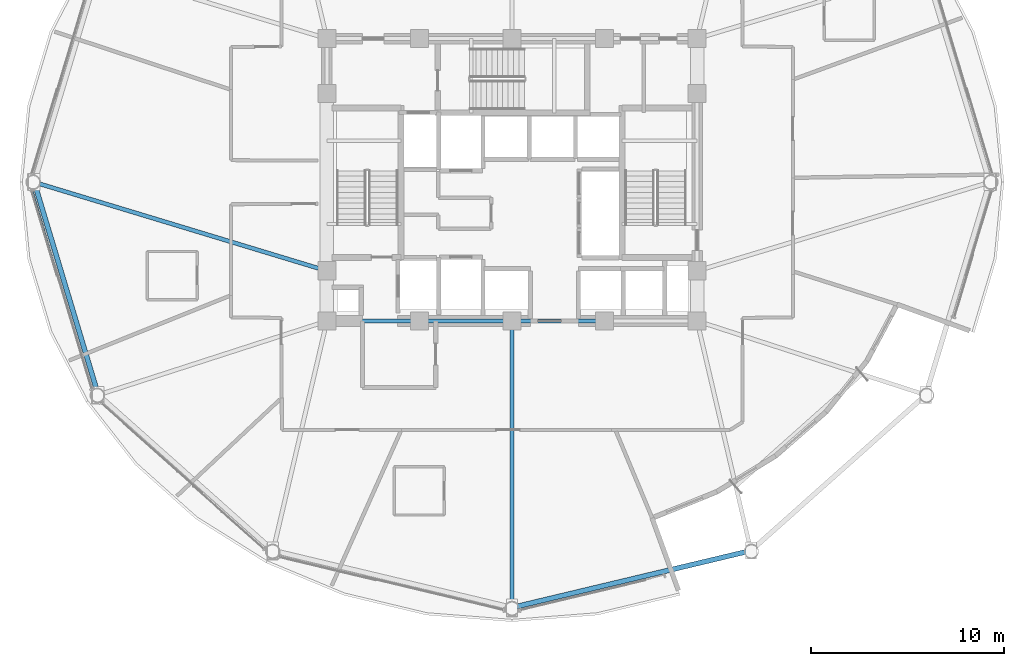
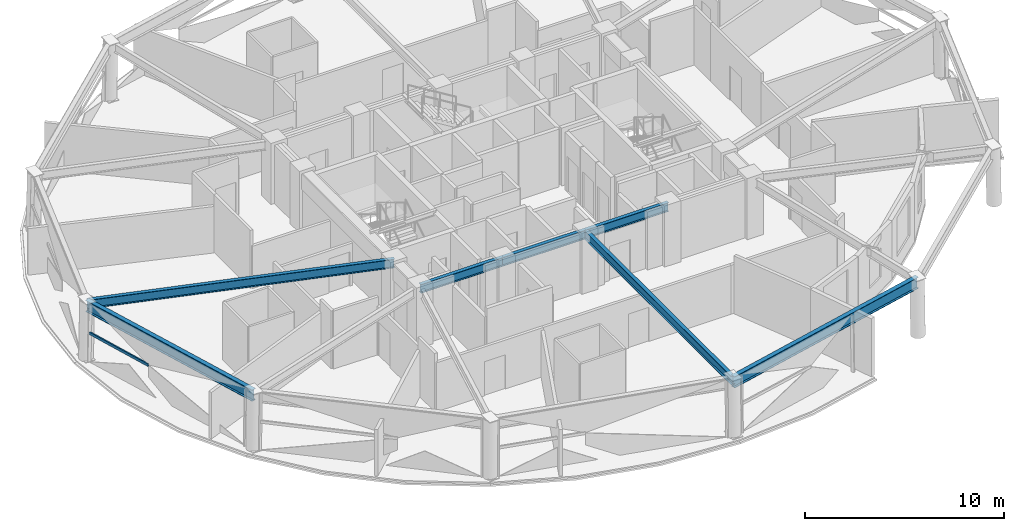
# One storey, part 3 of 16: 7 beams, 1 member, 1 element without a shape of its own.
"""IFC4 building model written with IfcOpenShell, lengths in metres."""

from ifc_helpers import new_model, si_unit, direction, frame, origin, origin_2d, place, context, subcontext, project, spatial, hollow_rectangle, i_section, extrude, material, layer, layer_set, material_profile, profile_set, type_object, element, aggregate, save


model = new_model("IFC4")

# Units and contexts
model_context = context("Model", 3, precision=1e-05, world=origin(), true_north=direction((0.0, 1.0)))
body_context = subcontext(model_context, "Body", "Model", "MODEL_VIEW")
ifc_project = project(units=[si_unit("LENGTHUNIT", "METRE"), si_unit("AREAUNIT", "SQUARE_METRE"), si_unit("VOLUMEUNIT", "CUBIC_METRE"), si_unit("PLANEANGLEUNIT", "RADIAN"), si_unit("MASSUNIT", "GRAM", prefix="KILO")], contexts=[model_context])

# Site, building, storey
site_placement = place(None, origin())
site = spatial("IfcSite", under=ifc_project, at=site_placement, CompositionType="ELEMENT")
building_placement = place(site_placement, origin())
building = spatial("IfcBuilding", under=site, at=building_placement, Name="Vantalir Tower", CompositionType="ELEMENT")
storey_placement = place(building_placement, frame((0.0, 0.0, 145.949951171875)))
storey = spatial("IfcBuildingStorey", under=building, at=storey_placement, Name="L36", CompositionType="ELEMENT", Elevation=145.949951171875)

# Beams
ifc_material_1 = material(Name="Steel S355", Category="steel")
ifc_material_profile_1 = material_profile(ifc_material_1, i_section(OverallWidth=0.2109375, OverallDepth=0.5390625, WebThickness=0.01171875, FlangeThickness=0.018798828125, at=origin_2d()), Name="Steel S355")
ifc_profile_set_1 = profile_set([ifc_material_profile_1], Name="Steel S355")
beam_type_1 = type_object("IfcBeamType", Name="BM-RB-533x210", PredefinedType="BEAM", material=ifc_profile_set_1)
for number, where, z_axis, x_axis, name in (
    (1, (21.89990234375, 17.800048828125, 3.301025390625), (1.0, 0.0, 0.0), (0.0, 1.0, 0.0), "L36 Core Coupling Girder 01"),
    (2, (26.699951171875, 17.800048828125, 3.301025390625), (1.0, 0.0, 0.0), (0.0, 1.0, 0.0), "L36 Core Coupling Girder 02"),
    (3, (31.5, 17.800048828125, 3.301025390625), (1.0, 0.0, 0.0), (0.0, 1.0, 0.0), "L36 Core Coupling Girder 03"),
):
    element("IfcBeam", number, at=place(storey_placement, frame(where, z_axis=z_axis, x_axis=x_axis)), inside=storey, type_object=beam_type_1, Name=name, PredefinedType="BEAM", context=body_context, shape_type="SweptSolid", body=[
        extrude(i_section(OverallWidth=0.2109375, OverallDepth=0.5390625, WebThickness=0.01171875, FlangeThickness=0.018798828125, at=origin_2d()), origin(), (0.0, 0.0, 1.0), 4.800048828125),
    ])
beam_1_placement = place(storey_placement, frame((6.717041015625, 25.0, 3.301025390625), z_axis=(0.957037864084, -0.289962974723, 0.0), x_axis=(0.289962974723, 0.957037864084, 0.0)))
element("IfcBeam", 4, at=beam_1_placement, inside=storey, type_object=beam_type_1, Name="L36 Radial Floor Beam 07", PredefinedType="BEAM", context=body_context, shape_type="SweptSolid", body=[
    extrude(i_section(OverallWidth=0.2109375, OverallDepth=0.5390625, WebThickness=0.01171875, FlangeThickness=0.018798828125, at=origin_2d()), origin(), (0.0, 0.0, 1.0), 15.864501953125),
])
beam_2_placement = place(storey_placement, frame((31.5, 2.930908203125, 3.301025390625), z_axis=(0.0, 1.0, 0.0), x_axis=(-1.0, 0.0, 0.0)))
element("IfcBeam", 5, at=beam_2_placement, inside=storey, type_object=beam_type_1, Name="L36 Radial Floor Beam 10", PredefinedType="BEAM", context=body_context, shape_type="SweptSolid", body=[
    extrude(i_section(OverallWidth=0.2109375, OverallDepth=0.5390625, WebThickness=0.01171875, FlangeThickness=0.018798828125, at=origin_2d()), origin(), (0.0, 0.0, 1.0), 14.869140625),
])
ifc_material_2 = material(Name="Steel S460", Category="steel")
ifc_material_profile_2 = material_profile(ifc_material_2, i_section(OverallWidth=0.256103515625, OverallDepth=0.693115234375, WebThickness=0.014404296875, FlangeThickness=0.023681640625, at=origin_2d()), Name="Steel S460")
ifc_profile_set_2 = profile_set([ifc_material_profile_2], Name="Steel S460")
beam_type_2 = type_object("IfcBeamType", Name="BM-RG-686x254", PredefinedType="USERDEFINED", material=ifc_profile_set_2)
beam_3_placement = place(storey_placement, frame((6.717041015625, 25.0, 3.22412109375), z_axis=(0.288111665009, -0.95759681938, 0.0), x_axis=(0.95759681938, 0.288111665009, 0.0)))
element("IfcBeam", 6, at=beam_3_placement, inside=storey, type_object=beam_type_2, Name="L36 Circumferential Ring Girder 07", ObjectType="GIRDER", PredefinedType="USERDEFINED", context=body_context, shape_type="SweptSolid", body=[
    extrude(i_section(OverallWidth=0.256103515625, OverallDepth=0.693115234375, WebThickness=0.014404296875, FlangeThickness=0.023681640625, at=origin_2d()), origin(), (0.0, 0.0, 1.0), 11.5234375),
])
beam_4_placement = place(storey_placement, frame((31.5, 2.930908203125, 3.22412109375), z_axis=(0.972690538126, 0.232105831549, 0.0), x_axis=(-0.232105831549, 0.972690538126, 0.0)))
element("IfcBeam", 7, at=beam_4_placement, inside=storey, type_object=beam_type_2, Name="L36 Circumferential Ring Girder 10", ObjectType="GIRDER", PredefinedType="USERDEFINED", context=body_context, shape_type="SweptSolid", body=[
    extrude(i_section(OverallWidth=0.256103515625, OverallDepth=0.693115234375, WebThickness=0.014404296875, FlangeThickness=0.023681640625, at=origin_2d()), origin(), (0.0, 0.0, 1.0), 12.739990234375),
])

# Curtain wall, member
ifc_material_3 = material(Name="Champagne-silver PVDF aluminium and double-silver Low-E glass", Category="aluminium")
ifc_layer = layer(ifc_material_3, 0.199951171875)
ifc_layer_set = layer_set([ifc_layer], Name="Champagne-silver PVDF aluminium and double-silver Low-E glass")
curtain_wall_type = type_object("IfcCurtainWallType", Name="CW-DIAMOND-Z2", PredefinedType="USERDEFINED", material=ifc_layer_set)
curtain_wall_placement = place(storey_placement, origin())
curtain_wall = element("IfcCurtainWall", 8, at=curtain_wall_placement, inside=storey, type_object=curtain_wall_type, Name="L36 Quilted Pyramid-Diamond Curtain Wall S07", ObjectType="UNITISED CURTAIN WALL", PredefinedType="USERDEFINED")
ifc_material_4 = material(Name="Champagne-silver PVDF aluminium 6063-T6", Category="aluminium")
ifc_material_profile_3 = material_profile(ifc_material_4, hollow_rectangle(XDim=0.074951171875, YDim=0.159912109375, WallThickness=0.00390625, at=origin_2d()), Name="Champagne-silver PVDF aluminium 6063-T6")
ifc_profile_set_3 = profile_set([ifc_material_profile_3], Name="Champagne-silver PVDF aluminium 6063-T6")
member_type = type_object("IfcMemberType", Name="CWT-160x75", PredefinedType="USERDEFINED", material=ifc_profile_set_3)
member_placement = place(storey_placement, frame((6.623046875, 24.5791015625, 1.78515625), z_axis=(0.282195443488, -0.959356936533, 0.0), x_axis=(0.959356936533, 0.282195443488, 0.0)))
member = element("IfcMember", 9, at=member_placement, type_object=member_type, Name="CW-L36-S07 Pyramid Fold Ridge Transom", ObjectType="TRANSOM", PredefinedType="USERDEFINED", context=body_context, shape_type="SweptSolid", body=[
    extrude(hollow_rectangle(XDim=0.074951171875, YDim=0.159912109375, WallThickness=0.00390625, at=origin_2d()), origin(), (0.0, 0.0, 1.0), 4.085205078125),
])
aggregate(curtain_wall, [member])

save(model, "model.ifc")
